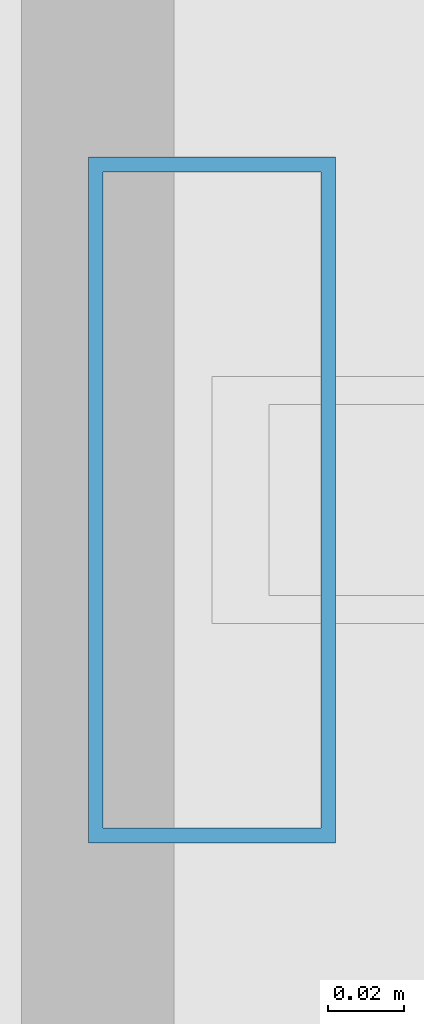
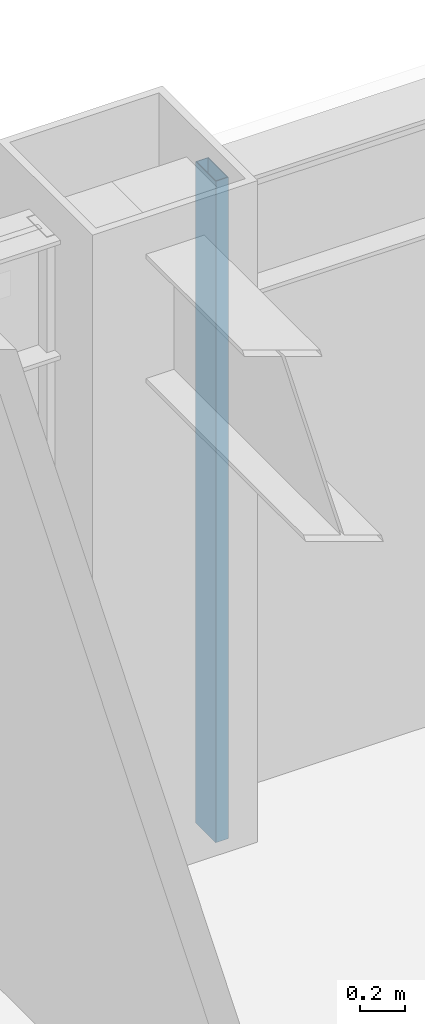
# One storey, part 21 of 31: 1 member, 1 element without a shape of its own.
"""IFC4 building model written with IfcOpenShell, lengths in metres."""

from ifc_helpers import new_model, si_unit, direction, frame, origin, origin_2d, place, context, subcontext, project, spatial, hollow_rectangle, extrude, material, layer, layer_set, material_profile, profile_set, type_object, element, aggregate, save


model = new_model("IFC4")

# Units and contexts
model_context = context("Model", 3, precision=1e-05, world=origin(), true_north=direction((0.0, 1.0)))
body_context = subcontext(model_context, "Body", "Model", "MODEL_VIEW")
ifc_project = project(units=[si_unit("LENGTHUNIT", "METRE"), si_unit("AREAUNIT", "SQUARE_METRE"), si_unit("VOLUMEUNIT", "CUBIC_METRE"), si_unit("PLANEANGLEUNIT", "RADIAN"), si_unit("MASSUNIT", "GRAM", prefix="KILO")], contexts=[model_context])

# Site, building, storey
site_placement = place(None, origin())
site = spatial("IfcSite", under=ifc_project, at=site_placement, CompositionType="ELEMENT")
building_placement = place(site_placement, origin())
building = spatial("IfcBuilding", under=site, at=building_placement, Name="Brelmoor Portico Tower", CompositionType="ELEMENT")
storey_placement = place(building_placement, frame((0.0, 0.0, 113.39990234375)))
storey = spatial("IfcBuildingStorey", under=building, at=storey_placement, Name="L29", CompositionType="ELEMENT", Elevation=113.39990234375)

# Curtain wall, member
ifc_material = material(Name="Anodised Aluminium Alloy 6063-T6", Category="aluminium")
ifc_layer = layer(ifc_material, 0.179931640625)
ifc_layer_set = layer_set([ifc_layer], Name="Anodised Aluminium Alloy 6063-T6")
curtain_wall_type = type_object("IfcCurtainWallType", Name="CW-TOWER-Z2-XB", PredefinedType="NOTDEFINED", material=ifc_layer_set)
curtain_wall_placement = place(storey_placement, origin())
curtain_wall = element("IfcCurtainWall", 1, at=curtain_wall_placement, inside=storey, type_object=curtain_wall_type, Name="L29 Curtain Wall CW-L29-02-3", PredefinedType="NOTDEFINED")
ifc_material_profile = material_profile(ifc_material, hollow_rectangle(XDim=0.06494140625, YDim=0.179931640625, WallThickness=0.00390625, at=origin_2d()), Name="ALU MULLION 65x180")
ifc_profile_set = profile_set([ifc_material_profile], Name="Anodised Aluminium Alloy 6063-T6")
member_type = type_object("IfcMemberType", Name="MB-CW-MULL-180", PredefinedType="MULLION", material=ifc_profile_set)
member_placement = place(storey_placement, frame((-7.614990234375, 19.550048828125, -0.199951171875), z_axis=(0.0, 0.0, 1.0), x_axis=(1.0, 0.0, 0.0)))
member = element("IfcMember", 2, at=member_placement, type_object=member_type, Name="CW-L29-02-3 Mullion 00", PredefinedType="MULLION", context=body_context, shape_type="SweptSolid", body=[
    extrude(hollow_rectangle(XDim=0.06494140625, YDim=0.179931640625, WallThickness=0.00390625, at=origin_2d()), origin(), (0.0, 0.0, 1.0), 3.60009765625),
])
aggregate(curtain_wall, [member])

save(model, "model.ifc")
